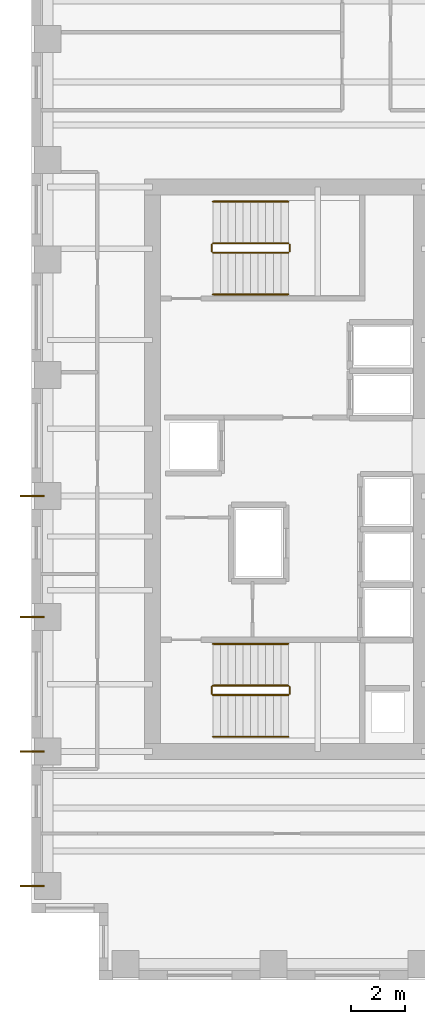
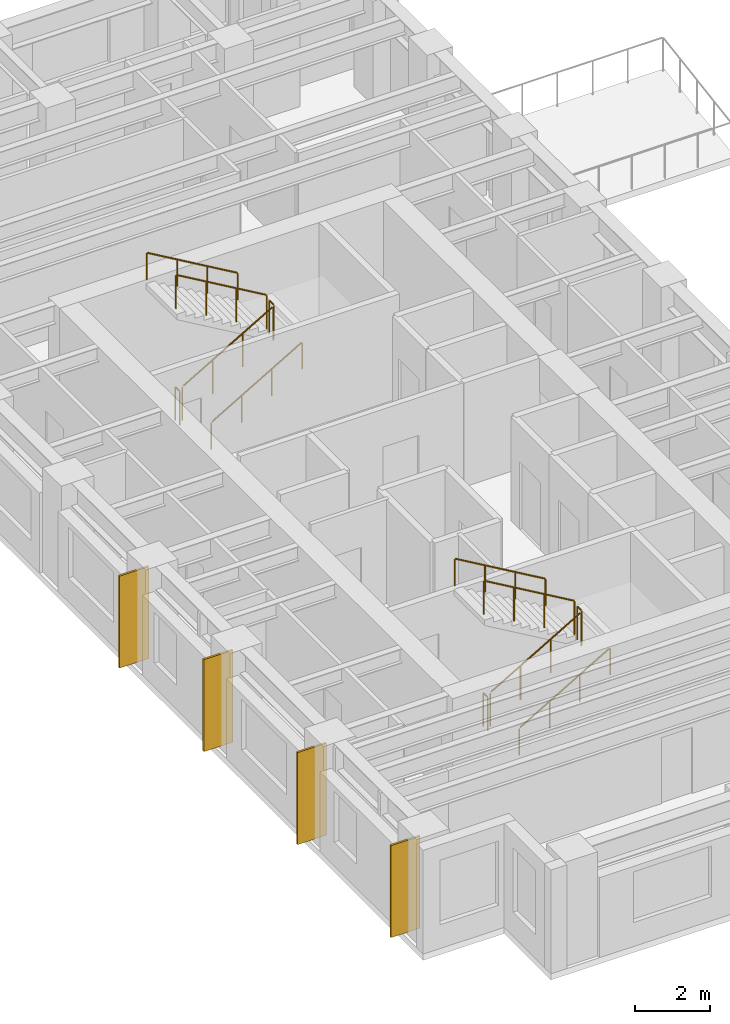
# One storey, part 10 of 11: 12 railings, 4 coverings.
"""IFC4 building model written with IfcOpenShell, lengths in metres."""

from ifc_helpers import new_model, si_unit, direction, frame, origin, origin_2d, place, context, subcontext, project, spatial, rectangle, circle, extrude, source, transform, mapped, material, layer, layer_set, type_object, element, save


model = new_model("IFC4")

# Units and contexts
model_context = context("Model", 3, precision=1e-05, world=origin(), true_north=direction((0.0, 1.0)))
body_context = subcontext(model_context, "Body", "Model", "MODEL_VIEW")
ifc_project = project(units=[si_unit("LENGTHUNIT", "METRE"), si_unit("AREAUNIT", "SQUARE_METRE"), si_unit("VOLUMEUNIT", "CUBIC_METRE"), si_unit("PLANEANGLEUNIT", "RADIAN"), si_unit("MASSUNIT", "GRAM", prefix="KILO")], contexts=[model_context])

# Site, building, storey
site_placement = place(None, origin())
site = spatial("IfcSite", under=ifc_project, at=site_placement, CompositionType="ELEMENT")
building_placement = place(site_placement, origin())
building = spatial("IfcBuilding", under=site, at=building_placement, Name="Kharzan Plaza Tower", CompositionType="ELEMENT")
storey_placement = place(building_placement, frame((0.0, 0.0, 171.89990234375)))
storey = spatial("IfcBuildingStorey", under=building, at=storey_placement, Name="L46", CompositionType="ELEMENT", Elevation=171.89990234375)

# Railings
ifc_material_1 = material(Name="Painted Galvanized Architectural Steel", Category="steel")
ifc_layer_1 = layer(ifc_material_1, 0.074951171875)
ifc_layer_set_1 = layer_set([ifc_layer_1], Name="Painted Galvanized Architectural Steel")
railing_type_1 = type_object("IfcRailingType", Name="RL-GUARD-1120", PredefinedType="BALUSTRADE", material=ifc_layer_set_1)
shared_shape_1 = source(origin(), body_context, "Body", "SweptSolid", [
    extrude(circle(Radius=0.02392578125, at=origin_2d()), frame((0.0, 0.0263671875, 1.09619140625), z_axis=(0.0, 1.0, 0.0), x_axis=(-1.0, 0.0, 0.0)), (0.0, 0.0, 1.0), 0.197021484375),
    extrude(circle(Radius=0.02099609375, at=origin_2d()), origin(), (0.0, 0.0, 1.0), 1.072021484375),
    extrude(circle(Radius=0.02099609375, at=origin_2d()), frame((0.0, 0.25, 0.0)), (0.0, 0.0, 1.0), 1.072021484375),
])
for number, where, name in (
    (1, (9.60009765625, 10.64990234375, 1.800048828125), "L46 ST-1 stair guard 2"),
    (2, (6.699951171875, 10.64990234375, 0.0), "L46 ST-1 stair guard 4"),
    (3, (9.60009765625, 27.10009765625, 1.800048828125), "L46 ST-2 stair guard 2"),
    (4, (6.699951171875, 27.10009765625, 0.0), "L46 ST-2 stair guard 4"),
):
    element("IfcRailing", number, at=place(storey_placement, frame(where)), inside=storey, type_object=railing_type_1, Name=name, PredefinedType="BALUSTRADE", context=body_context, shape_type="MappedRepresentation", body=[
        mapped(shared_shape_1, transform((0.0, 0.0, 0.0), x_axis=(1.0, 0.0, 0.0), y_axis=(0.0, 1.0, 0.0), z_axis=(0.0, 0.0, 1.0))),
    ])

# Coverings
ifc_material_2 = material(Name="Honed Riyadh Limestone", Category="masonry")
ifc_layer_2 = layer(ifc_material_2, 0.06005859375)
ifc_layer_set_2 = layer_set([ifc_layer_2], Name="Honed Riyadh Limestone")
covering_type = type_object("IfcCoveringType", Name="COV-CLAD-STONE", PredefinedType="CLADDING", material=ifc_layer_set_2)
shared_shape_2 = source(origin(), body_context, "Body", "SweptSolid", [
    extrude(rectangle(XDim=0.06005859375, YDim=0.89990234375, at=origin_2d()), origin(), (0.0, 0.0, 1.0), 3.0),
])
for number, where, z_axis, x_axis, name in (
    (5, (0.02001953125, 13.5, 0.10009765625), (0.0, 0.0, 1.0), (0.0, 1.0, 0.0), "L46 Limestone Pier Rainscreen Cladding TCW-135"),
    (6, (0.02001953125, 18.0, 0.10009765625), (0.0, 0.0, 1.0), (0.0, 1.0, 0.0), "L46 Limestone Pier Rainscreen Cladding TCW-180"),
    (7, (0.02001953125, 3.5, 0.10009765625), (0.0, 0.0, 1.0), (0.0, 1.0, 0.0), "L46 Limestone Pier Rainscreen Cladding TCW-35"),
    (8, (0.02001953125, 8.5, 0.10009765625), (0.0, 0.0, 1.0), (0.0, 1.0, 0.0), "L46 Limestone Pier Rainscreen Cladding TCW-85"),
):
    element("IfcCovering", number, at=place(storey_placement, frame(where, z_axis=z_axis, x_axis=x_axis)), inside=storey, type_object=covering_type, Name=name, PredefinedType="CLADDING", context=body_context, shape_type="MappedRepresentation", body=[
        mapped(shared_shape_2, transform((0.0, 0.0, 0.0), x_axis=(1.0, 0.0, 0.0), y_axis=(0.0, 1.0, 0.0), z_axis=(0.0, 0.0, 1.0))),
    ])

# Railings
shared_shape_3 = source(origin(), body_context, "Body", "SweptSolid", [
    extrude(circle(Radius=0.02392578125, at=origin_2d()), frame((-0.02294921875, 0.0, 1.109375), z_axis=(-0.863360870873, 0.0, 0.504586966384), x_axis=(0.0, -1.0, 0.0)), (0.0, 0.0, 1.0), 3.190185546875),
    extrude(circle(Radius=0.02099609375, at=origin_2d()), origin(), (0.0, 0.0, 1.0), 1.072021484375),
    extrude(circle(Radius=0.02099609375, at=origin_2d()), frame((-0.933349609375, 0.0, 0.54541015625)), (0.0, 0.0, 1.0), 1.072021484375),
    extrude(circle(Radius=0.02099609375, at=origin_2d()), frame((-1.86669921875, 0.0, 1.091064453125)), (0.0, 0.0, 1.0), 1.072021484375),
    extrude(circle(Radius=0.02099609375, at=origin_2d()), frame((-2.800048828125, 0.0, 1.636474609375)), (0.0, 0.0, 1.0), 1.072021484375),
])
for number, where, name in (
    (9, (9.550048828125, 10.949951171875, 1.963623046875), "L46 ST-1 stair guard 3"),
    (10, (9.550048828125, 27.39990234375, 1.963623046875), "L46 ST-2 stair guard 3"),
):
    element("IfcRailing", number, at=place(storey_placement, frame(where)), inside=storey, type_object=railing_type_1, Name=name, PredefinedType="BALUSTRADE", context=body_context, shape_type="MappedRepresentation", body=[
        mapped(shared_shape_3, transform((0.0, 0.0, 0.0), x_axis=(1.0, 0.0, 0.0), y_axis=(0.0, 1.0, 0.0), z_axis=(0.0, 0.0, 1.0))),
    ])
ifc_material_3 = material(Name="Brushed Stainless Steel", Category="steel")
ifc_layer_3 = layer(ifc_material_3, 0.050048828125)
ifc_layer_set_3 = layer_set([ifc_layer_3], Name="Brushed Stainless Steel")
railing_type_2 = type_object("IfcRailingType", Name="RL-STAIR-HR920", PredefinedType="HANDRAIL", material=ifc_layer_set_3)
shared_shape_4 = source(origin(), body_context, "Body", "SweptSolid", [
    extrude(circle(Radius=0.02392578125, at=origin_2d()), frame((-0.02294921875, 0.0, 0.88916015625), z_axis=(-0.863360870873, 0.0, 0.504586966384), x_axis=(0.0, -1.0, 0.0)), (0.0, 0.0, 1.0), 3.190185546875),
    extrude(circle(Radius=0.02099609375, at=origin_2d()), origin(), (0.0, 0.0, 1.0), 0.851806640625),
    extrude(circle(Radius=0.02099609375, at=origin_2d()), frame((-0.933349609375, 0.0, 0.54541015625)), (0.0, 0.0, 1.0), 0.851806640625),
    extrude(circle(Radius=0.02099609375, at=origin_2d()), frame((-1.86669921875, 0.0, 1.091064453125)), (0.0, 0.0, 1.0), 0.851806640625),
    extrude(circle(Radius=0.02099609375, at=origin_2d()), frame((-2.800048828125, 0.0, 1.636474609375)), (0.0, 0.0, 1.0), 0.851806640625),
])
for number, where, name in (
    (11, (9.550048828125, 12.5, 1.963623046875), "L46 ST-1 stair handrail 2"),
    (12, (9.550048828125, 28.949951171875, 1.963623046875), "L46 ST-2 stair handrail 2"),
):
    element("IfcRailing", number, at=place(storey_placement, frame(where)), inside=storey, type_object=railing_type_2, Name=name, PredefinedType="HANDRAIL", context=body_context, shape_type="MappedRepresentation", body=[
        mapped(shared_shape_4, transform((0.0, 0.0, 0.0), x_axis=(1.0, 0.0, 0.0), y_axis=(0.0, 1.0, 0.0), z_axis=(0.0, 0.0, 1.0))),
    ])
shared_shape_5 = source(origin(), body_context, "Body", "SweptSolid", [
    extrude(circle(Radius=0.02392578125, at=origin_2d()), frame((0.02294921875, 0.0, 1.109375), z_axis=(0.863393664356, 0.0, 0.504530851732), x_axis=(0.0, 1.0, 0.0)), (0.0, 0.0, 1.0), 3.190185546875),
    extrude(circle(Radius=0.02099609375, at=origin_2d()), origin(), (0.0, 0.0, 1.0), 1.072021484375),
    extrude(circle(Radius=0.02099609375, at=origin_2d()), frame((0.933349609375, 0.0, 0.54541015625)), (0.0, 0.0, 1.0), 1.072021484375),
    extrude(circle(Radius=0.02099609375, at=origin_2d()), frame((1.86669921875, 0.0, 1.0908203125)), (0.0, 0.0, 1.0), 1.072021484375),
    extrude(circle(Radius=0.02099609375, at=origin_2d()), frame((2.800048828125, 0.0, 1.63623046875)), (0.0, 0.0, 1.0), 1.072021484375),
])
for number, where, name in (
    (13, (6.75, 10.60009765625, 0.163818359375), "L46 ST-1 stair guard 1"),
    (14, (6.75, 27.050048828125, 0.163818359375), "L46 ST-2 stair guard 1"),
):
    element("IfcRailing", number, at=place(storey_placement, frame(where)), inside=storey, type_object=railing_type_1, Name=name, PredefinedType="BALUSTRADE", context=body_context, shape_type="MappedRepresentation", body=[
        mapped(shared_shape_5, transform((0.0, 0.0, 0.0), x_axis=(1.0, 0.0, 0.0), y_axis=(0.0, 1.0, 0.0), z_axis=(0.0, 0.0, 1.0))),
    ])
shared_shape_6 = source(origin(), body_context, "Body", "SweptSolid", [
    extrude(circle(Radius=0.02392578125, at=origin_2d()), frame((0.02294921875, 0.0, 0.88916015625), z_axis=(0.863393664356, 0.0, 0.504530851732), x_axis=(0.0, 1.0, 0.0)), (0.0, 0.0, 1.0), 3.190185546875),
    extrude(circle(Radius=0.02099609375, at=origin_2d()), origin(), (0.0, 0.0, 1.0), 0.851806640625),
    extrude(circle(Radius=0.02099609375, at=origin_2d()), frame((0.933349609375, 0.0, 0.54541015625)), (0.0, 0.0, 1.0), 0.851806640625),
    extrude(circle(Radius=0.02099609375, at=origin_2d()), frame((1.86669921875, 0.0, 1.0908203125)), (0.0, 0.0, 1.0), 0.851806640625),
    extrude(circle(Radius=0.02099609375, at=origin_2d()), frame((2.800048828125, 0.0, 1.63623046875)), (0.0, 0.0, 1.0), 0.851806640625),
])
for number, where, name in (
    (15, (6.75, 9.050048828125, 0.163818359375), "L46 ST-1 stair handrail 1"),
    (16, (6.75, 25.5, 0.163818359375), "L46 ST-2 stair handrail 1"),
):
    element("IfcRailing", number, at=place(storey_placement, frame(where)), inside=storey, type_object=railing_type_2, Name=name, PredefinedType="HANDRAIL", context=body_context, shape_type="MappedRepresentation", body=[
        mapped(shared_shape_6, transform((0.0, 0.0, 0.0), x_axis=(1.0, 0.0, 0.0), y_axis=(0.0, 1.0, 0.0), z_axis=(0.0, 0.0, 1.0))),
    ])

save(model, "model.ifc")
